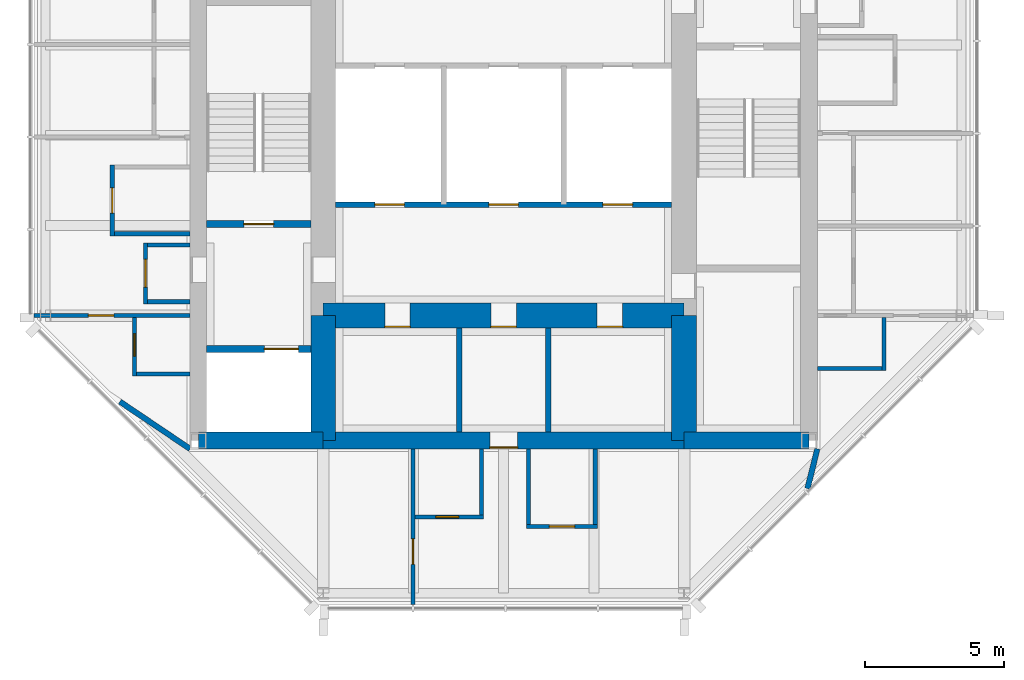
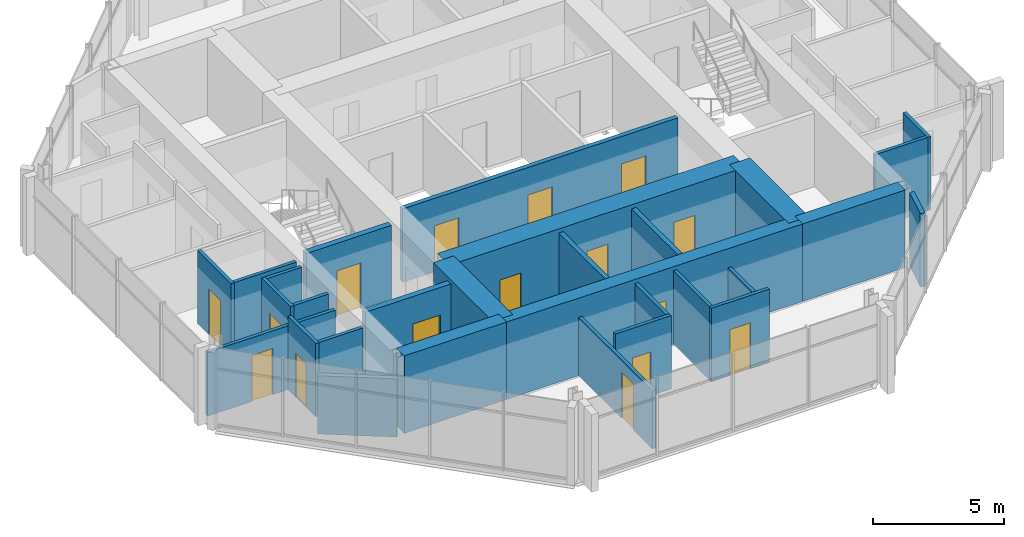
# One storey, part 5 of 9: 29 walls, 16 doors, 16 openings.
"""IFC4 building model written with IfcOpenShell, lengths in metres."""

from ifc_helpers import new_model, si_unit, direction, frame, frame_2d, origin, place, context, subcontext, project, spatial, rectangle, extrude, material, layer, layer_set, type_object, element, fill, save


model = new_model("IFC4")

# Units and contexts
model_context = context("Model", 3, precision=1e-05, world=origin(), true_north=direction((0.0, 1.0)))
body_context = subcontext(model_context, "Body", "Model", "MODEL_VIEW")
ifc_project = project(units=[si_unit("LENGTHUNIT", "METRE"), si_unit("AREAUNIT", "SQUARE_METRE"), si_unit("VOLUMEUNIT", "CUBIC_METRE"), si_unit("PLANEANGLEUNIT", "RADIAN"), si_unit("MASSUNIT", "GRAM", prefix="KILO")], contexts=[model_context])

# Site, building, storey
site_placement = place(None, origin())
site = spatial("IfcSite", under=ifc_project, at=site_placement, CompositionType="ELEMENT")
building_placement = place(site_placement, origin())
building = spatial("IfcBuilding", under=site, at=building_placement, Name="Trevanion Tower", CompositionType="ELEMENT")
storey_placement = place(building_placement, frame((0.0, 0.0, 292.0)))
storey = spatial("IfcBuildingStorey", under=building, at=storey_placement, Name="L72", CompositionType="ELEMENT", Elevation=292.0)

# Wall
ifc_material_1 = material(Name="Concrete 10,000 psi", Category="concrete")
ifc_layer_1 = layer(ifc_material_1, 0.60009765625)
ifc_layer_set_1 = layer_set([ifc_layer_1], Name="CW1 core wall 600")
wall_type_1 = type_object("IfcWallType", Name="CW1 core wall 600", PredefinedType="SHEAR", material=ifc_layer_set_1)
wall_1_placement = place(storey_placement, frame((-11.0, -11.0, 0.0), z_axis=(0.0, 0.0, 1.0), x_axis=(1.0, 0.0, 0.0)))
element("IfcWall", 1, at=wall_1_placement, inside=storey, type_object=wall_type_1, Name="CW1 CS1 L72", PredefinedType="SHEAR", context=body_context, shape_type="SweptSolid", body=[
    extrude(rectangle(XDim=4.5, YDim=0.60009765625, at=frame_2d((2.25, 0.0))), origin(), (0.0, 0.0, 1.0), 3.60009765625),
])

# Wall, opening, door
wall_2_placement = place(storey_placement, frame((-6.5, -11.0, 0.0), z_axis=(0.0, 0.0, 1.0), x_axis=(1.0, 0.0, 0.0)))
wall_2 = element("IfcWall", 2, at=wall_2_placement, inside=storey, type_object=wall_type_1, Name="CW1 CS2 L72", PredefinedType="SHEAR", context=body_context, shape_type="SweptSolid", body=[
    extrude(rectangle(XDim=13.0, YDim=0.60009765625, at=frame_2d((6.5, 0.0))), origin(), (0.0, 0.0, 1.0), 3.60009765625),
])
opening_1_placement = place(wall_2_placement, frame((6.0, 0.0, 0.0)))
opening_1 = element("IfcOpeningElement", 3, at=opening_1_placement, cuts=wall_2, Name="Opening 72-022", PredefinedType="OPENING", context=body_context, shape_type="SweptSolid", body=[
    extrude(rectangle(XDim=1.0, YDim=2.134033203125, at=frame_2d((0.5, 1.06689453125))), frame((0.0, 0.31005859375, 0.0), z_axis=(0.0, -1.0, 0.0), x_axis=(1.0, 0.0, 0.0)), (0.0, 0.0, 1.0), 0.6201171875),
])
ifc_material_2 = material(Name="Timber veneer on steel frame, fire rated", Category="steel")
door_type_1 = type_object("IfcDoorType", Name="D13 residence entrance door", OperationType="SINGLE_SWING_RIGHT", PredefinedType="DOOR", material=ifc_material_2)
door_1_placement = place(opening_1_placement, origin())
door_1 = element("IfcDoor", 4, at=door_1_placement, inside=storey, type_object=door_type_1, Name="Door 72-022", OperationType="SINGLE_SWING_RIGHT", OverallHeight=2.134033203125, OverallWidth=1.0, PredefinedType="DOOR", context=body_context, shape_type="SweptSolid", body=[
    extrude(rectangle(XDim=1.0, YDim=2.134033203125, at=frame_2d((0.5, 1.06689453125))), frame((0.0, -0.22509765625, 0.0), z_axis=(0.0, -1.0, 0.0), x_axis=(1.0, 0.0, 0.0)), (0.0, 0.0, 1.0), 0.050048828125),
])
fill(opening_1, door_1)

# Walls
wall_3_placement = place(storey_placement, frame((6.5, -11.0, 0.0), z_axis=(0.0, 0.0, 1.0), x_axis=(1.0, 0.0, 0.0)))
element("IfcWall", 5, at=wall_3_placement, inside=storey, type_object=wall_type_1, Name="CW1 CS3 L72", PredefinedType="SHEAR", context=body_context, shape_type="SweptSolid", body=[
    extrude(rectangle(XDim=4.5, YDim=0.60009765625, at=frame_2d((2.25, 0.0))), origin(), (0.0, 0.0, 1.0), 3.60009765625),
])
ifc_material_3 = material(Name="Concrete 10,000 psi", Category="concrete")
ifc_layer_2 = layer(ifc_material_3, 0.89990234375)
ifc_layer_set_2 = layer_set([ifc_layer_2], Name="CW2 core wall 900")
wall_type_2 = type_object("IfcWallType", Name="CW2 core wall 900", PredefinedType="SHEAR", material=ifc_layer_set_2)
for number, where, z_axis, x_axis, name in (
    (6, (6.5, -11.0, 0.0), (0.0, 0.0, 1.0), (0.0, 1.0, 0.0), "CW2 RE1 L72"),
    (7, (-6.5, -6.5, 0.0), (0.0, 0.0, 1.0), (0.0, -1.0, 0.0), "CW2 RW3 L72"),
):
    element("IfcWall", number, at=place(storey_placement, frame(where, z_axis=z_axis, x_axis=x_axis)), inside=storey, type_object=wall_type_2, Name=name, PredefinedType="SHEAR", context=body_context, shape_type="SweptSolid", body=[
        extrude(rectangle(XDim=4.5, YDim=0.89990234375, at=frame_2d((2.25, 0.0))), origin(), (0.0, 0.0, 1.0), 3.60009765625),
    ])

# Wall, openings, doors
wall_4_placement = place(storey_placement, frame((-6.5, -6.5, 0.0), z_axis=(0.0, 0.0, 1.0), x_axis=(1.0, 0.0, 0.0)))
wall_4 = element("IfcWall", 8, at=wall_4_placement, inside=storey, type_object=wall_type_2, Name="CW2 RS L72", PredefinedType="SHEAR", context=body_context, shape_type="SweptSolid", body=[
    extrude(rectangle(XDim=13.0, YDim=0.89990234375, at=frame_2d((6.5, 0.0))), origin(), (0.0, 0.0, 1.0), 3.60009765625),
])
opening_2_placement = place(wall_4_placement, frame((6.04248046875, 0.0, 0.0)))
opening_2 = element("IfcOpeningElement", 9, at=opening_2_placement, cuts=wall_4, Name="Opening 72-021", PredefinedType="OPENING", context=body_context, shape_type="SweptSolid", body=[
    extrude(rectangle(XDim=0.9150390625, YDim=2.134033203125, at=frame_2d((0.45751953125, 1.06689453125))), frame((0.0, 0.4599609375, 0.0), z_axis=(0.0, -1.0, 0.0), x_axis=(1.0, 0.0, 0.0)), (0.0, 0.0, 1.0), 0.919921875),
])
opening_3_placement = place(wall_4_placement, frame((2.217529296875, 0.0, 0.0)))
opening_3 = element("IfcOpeningElement", 10, at=opening_3_placement, cuts=wall_4, Name="Opening 72-023", PredefinedType="OPENING", context=body_context, shape_type="SweptSolid", body=[
    extrude(rectangle(XDim=0.9150390625, YDim=2.134033203125, at=frame_2d((0.45751953125, 1.06689453125))), frame((0.0, 0.4599609375, 0.0), z_axis=(0.0, -1.0, 0.0), x_axis=(1.0, 0.0, 0.0)), (0.0, 0.0, 1.0), 0.919921875),
])
opening_4_placement = place(wall_4_placement, frame((9.867431640625, 0.0, 0.0)))
opening_4 = element("IfcOpeningElement", 11, at=opening_4_placement, cuts=wall_4, Name="Opening 72-024", PredefinedType="OPENING", context=body_context, shape_type="SweptSolid", body=[
    extrude(rectangle(XDim=0.9150390625, YDim=2.134033203125, at=frame_2d((0.45751953125, 1.06689453125))), frame((0.0, 0.4599609375, 0.0), z_axis=(0.0, -1.0, 0.0), x_axis=(1.0, 0.0, 0.0)), (0.0, 0.0, 1.0), 0.919921875),
])
ifc_material_4 = material(Name="Hollow metal, fire rated", Category="steel")
door_type_2 = type_object("IfcDoorType", Name="D3 fire lift lobby door", OperationType="SINGLE_SWING_RIGHT", PredefinedType="DOOR", material=ifc_material_4)
door_2_placement = place(opening_2_placement, origin())
door_2 = element("IfcDoor", 12, at=door_2_placement, inside=storey, type_object=door_type_2, Name="Door 72-021", OperationType="SINGLE_SWING_RIGHT", OverallHeight=2.134033203125, OverallWidth=0.9150390625, PredefinedType="DOOR", context=body_context, shape_type="SweptSolid", body=[
    extrude(rectangle(XDim=0.9150390625, YDim=2.134033203125, at=frame_2d((0.45751953125, 1.06689453125))), frame((0.0, -0.375, 0.0), z_axis=(0.0, -1.0, 0.0), x_axis=(1.0, 0.0, 0.0)), (0.0, 0.0, 1.0), 0.050048828125),
])
fill(opening_2, door_2)
ifc_material_5 = material(Name="Hollow metal, fire rated", Category="steel")
door_type_3 = type_object("IfcDoorType", Name="D5 service room door", OperationType="SINGLE_SWING_RIGHT", PredefinedType="DOOR", material=ifc_material_5)
door_3_placement = place(opening_3_placement, origin())
door_3 = element("IfcDoor", 13, at=door_3_placement, inside=storey, type_object=door_type_3, Name="Door 72-023", OperationType="SINGLE_SWING_RIGHT", OverallHeight=2.134033203125, OverallWidth=0.9150390625, PredefinedType="DOOR", context=body_context, shape_type="SweptSolid", body=[
    extrude(rectangle(XDim=0.9150390625, YDim=2.134033203125, at=frame_2d((0.45751953125, 1.06689453125))), frame((0.0, -0.375, 0.0), z_axis=(0.0, -1.0, 0.0), x_axis=(1.0, 0.0, 0.0)), (0.0, 0.0, 1.0), 0.050048828125),
])
fill(opening_3, door_3)
door_4_placement = place(opening_4_placement, origin())
door_4 = element("IfcDoor", 14, at=door_4_placement, inside=storey, type_object=door_type_3, Name="Door 72-024", OperationType="SINGLE_SWING_RIGHT", OverallHeight=2.134033203125, OverallWidth=0.9150390625, PredefinedType="DOOR", context=body_context, shape_type="SweptSolid", body=[
    extrude(rectangle(XDim=0.9150390625, YDim=2.134033203125, at=frame_2d((0.45751953125, 1.06689453125))), frame((0.0, -0.375, 0.0), z_axis=(0.0, -1.0, 0.0), x_axis=(1.0, 0.0, 0.0)), (0.0, 0.0, 1.0), 0.050048828125),
])
fill(opening_4, door_4)

# Walls
ifc_material_6 = material(Name="Gypsum board on steel studs", Category="steel")
ifc_layer_3 = layer(ifc_material_6, 0.14990234375)
ifc_layer_set_3 = layer_set([ifc_layer_3], Name="PT1 partition 150")
wall_type_3 = type_object("IfcWallType", Name="PT1 partition 150", PredefinedType="PARTITIONING", material=ifc_layer_set_3)
wall_5_placement = place(storey_placement, frame((13.699951171875, -6.574951171875, 0.0), z_axis=(0.0, 0.0, 1.0), x_axis=(0.0, -1.0, 0.0)))
element("IfcWall", 15, at=wall_5_placement, inside=storey, type_object=wall_type_3, Name="PT1 L72 RETF", PredefinedType="PARTITIONING", context=body_context, shape_type="SweptSolid", body=[
    extrude(rectangle(XDim=1.900146484375, YDim=0.14990234375, at=frame_2d((0.9501953125, 0.0))), origin(), (0.0, 0.0, 1.0), 3.409912109375),
])
wall_6_placement = place(storey_placement, frame((11.300048828125, -8.39990234375, 0.0), z_axis=(0.0, 0.0, 1.0), x_axis=(1.0, 0.0, 0.0)))
element("IfcWall", 16, at=wall_6_placement, inside=storey, type_object=wall_type_3, Name="PT1 L72 RETA", PredefinedType="PARTITIONING", context=body_context, shape_type="SweptSolid", body=[
    extrude(rectangle(XDim=2.324951171875, YDim=0.14990234375, at=frame_2d((1.16259765625, 0.0))), origin(), (0.0, 0.0, 1.0), 3.409912109375),
])

# Wall, opening, door
wall_7_placement = place(storey_placement, frame((-11.300048828125, -6.5, 0.0), z_axis=(0.0, 0.0, 1.0), x_axis=(-1.0, 0.0, 0.0)))
wall_7 = element("IfcWall", 17, at=wall_7_placement, inside=storey, type_object=wall_type_3, Name="PT1 L72 RWC3", PredefinedType="PARTITIONING", context=body_context, shape_type="SweptSolid", body=[
    extrude(rectangle(XDim=5.614990234375, YDim=0.14990234375, at=frame_2d((2.8076171875, 0.0))), origin(), (0.0, 0.0, 1.0), 2.965576171875),
])
opening_5_placement = place(wall_7_placement, frame((2.742431640625, 0.0, 0.0)))
opening_5 = element("IfcOpeningElement", 18, at=opening_5_placement, cuts=wall_7, Name="Opening 72-044", PredefinedType="OPENING", context=body_context, shape_type="SweptSolid", body=[
    extrude(rectangle(XDim=0.9150390625, YDim=2.134033203125, at=frame_2d((0.45751953125, 1.06689453125))), frame((0.0, 0.0849609375, 0.0), z_axis=(0.0, -1.0, 0.0), x_axis=(1.0, 0.0, 0.0)), (0.0, 0.0, 1.0), 0.169921875),
])
ifc_material_7 = material(Name="Timber veneer, solid core", Category="wood")
door_type_4 = type_object("IfcDoorType", Name="D1 office and meeting room door", OperationType="SINGLE_SWING_LEFT", PredefinedType="DOOR", material=ifc_material_7)
door_5_placement = place(opening_5_placement, origin())
door_5 = element("IfcDoor", 19, at=door_5_placement, inside=storey, type_object=door_type_4, Name="Door 72-044", OperationType="SINGLE_SWING_LEFT", OverallHeight=2.134033203125, OverallWidth=0.9150390625, PredefinedType="DOOR", context=body_context, shape_type="SweptSolid", body=[
    extrude(rectangle(XDim=0.9150390625, YDim=2.134033203125, at=frame_2d((0.45751953125, 1.06689453125))), frame((0.0, 0.02490234375, 0.0), z_axis=(0.0, -1.0, 0.0), x_axis=(1.0, 0.0, 0.0)), (0.0, 0.0, 1.0), 0.050048828125),
])
fill(opening_5, door_5)

# Walls
for number, where, z_axis, x_axis, name in (
    (20, (-11.300048828125, -3.949951171875, 0.0), (0.0, 0.0, 1.0), (-1.0, 0.0, 0.0), "PT1 L72 RWEA"),
    (21, (-11.300048828125, -6.0, 0.0), (0.0, 0.0, 1.0), (-1.0, 0.0, 0.0), "PT1 L72 RWEB"),
):
    element("IfcWall", number, at=place(storey_placement, frame(where, z_axis=z_axis, x_axis=x_axis)), inside=storey, type_object=wall_type_3, Name=name, PredefinedType="PARTITIONING", context=body_context, shape_type="SweptSolid", body=[
        extrude(rectangle(XDim=1.52490234375, YDim=0.14990234375, at=frame_2d((0.762451171875, 0.0))), origin(), (0.0, 0.0, 1.0), 3.409912109375),
    ])

# Wall, opening, door
wall_8_placement = place(storey_placement, frame((-14.10009765625, -1.074951171875, 0.0), z_axis=(0.0, 0.0, 1.0), x_axis=(0.0, -1.0, 0.0)))
wall_8 = element("IfcWall", 22, at=wall_8_placement, inside=storey, type_object=wall_type_3, Name="PT1 L72 RWKF", PredefinedType="PARTITIONING", context=body_context, shape_type="SweptSolid", body=[
    extrude(rectangle(XDim=2.550048828125, YDim=0.14990234375, at=frame_2d((1.27490234375, 0.0))), origin(), (0.0, 0.0, 1.0), 3.409912109375),
])
opening_6_placement = place(wall_8_placement, frame((0.8173828125, 0.0, 0.0)))
opening_6 = element("IfcOpeningElement", 23, at=opening_6_placement, cuts=wall_8, Name="Opening 72-037", PredefinedType="OPENING", context=body_context, shape_type="SweptSolid", body=[
    extrude(rectangle(XDim=0.9150390625, YDim=2.134033203125, at=frame_2d((0.45751953125, 1.06689453125))), frame((0.0, 0.0849609375, 0.0), z_axis=(0.0, -1.0, 0.0), x_axis=(1.0, 0.0, 0.0)), (0.0, 0.0, 1.0), 0.169921875),
])
door_6_placement = place(opening_6_placement, origin())
door_6 = element("IfcDoor", 24, at=door_6_placement, inside=storey, type_object=door_type_4, Name="Door 72-037", OperationType="SINGLE_SWING_LEFT", OverallHeight=2.134033203125, OverallWidth=0.9150390625, PredefinedType="DOOR", context=body_context, shape_type="SweptSolid", body=[
    extrude(rectangle(XDim=0.9150390625, YDim=2.134033203125, at=frame_2d((0.45751953125, 1.06689453125))), frame((0.0, 0.02490234375, 0.0), z_axis=(0.0, -1.0, 0.0), x_axis=(1.0, 0.0, 0.0)), (0.0, 0.0, 1.0), 0.050048828125),
])
fill(opening_6, door_6)

# Wall
wall_9_placement = place(storey_placement, frame((-11.300048828125, -3.550048828125, 0.0), z_axis=(0.0, 0.0, 1.0), x_axis=(-1.0, 0.0, 0.0)))
element("IfcWall", 25, at=wall_9_placement, inside=storey, type_object=wall_type_3, Name="PT1 L72 RWKB", PredefinedType="PARTITIONING", context=body_context, shape_type="SweptSolid", body=[
    extrude(rectangle(XDim=2.724853515625, YDim=0.14990234375, at=frame_2d((1.3623046875, 0.0))), origin(), (0.0, 0.0, 1.0), 3.409912109375),
])

# Wall, opening, door
wall_10_placement = place(storey_placement, frame((-13.300048828125, -6.574951171875, 0.0), z_axis=(0.0, 0.0, 1.0), x_axis=(0.0, -1.0, 0.0)))
wall_10 = element("IfcWall", 26, at=wall_10_placement, inside=storey, type_object=wall_type_3, Name="PT1 L72 RWWF", PredefinedType="PARTITIONING", context=body_context, shape_type="SweptSolid", body=[
    extrude(rectangle(XDim=2.10009765625, YDim=0.14990234375, at=frame_2d((1.050048828125, 0.0))), origin(), (0.0, 0.0, 1.0), 3.409912109375),
])
opening_7_placement = place(wall_10_placement, frame((0.568603515625, 0.0, 0.0)))
opening_7 = element("IfcOpeningElement", 27, at=opening_7_placement, cuts=wall_10, Name="Opening 72-038", PredefinedType="OPENING", context=body_context, shape_type="SweptSolid", body=[
    extrude(rectangle(XDim=0.81298828125, YDim=2.031982421875, at=frame_2d((0.406494140625, 1.01611328125))), frame((0.0, 0.0849609375, 0.0), z_axis=(0.0, -1.0, 0.0), x_axis=(1.0, 0.0, 0.0)), (0.0, 0.0, 1.0), 0.169921875),
])
ifc_material_8 = material(Name="Timber veneer", Category="wood")
door_type_5 = type_object("IfcDoorType", Name="D14 residence bathroom door", OperationType="SINGLE_SWING_LEFT", PredefinedType="DOOR", material=ifc_material_8)
door_7_placement = place(opening_7_placement, origin())
door_7 = element("IfcDoor", 28, at=door_7_placement, inside=storey, type_object=door_type_5, Name="Door 72-038", OperationType="SINGLE_SWING_LEFT", OverallHeight=2.031982421875, OverallWidth=0.81298828125, PredefinedType="DOOR", context=body_context, shape_type="SweptSolid", body=[
    extrude(rectangle(XDim=0.81298828125, YDim=2.031982421875, at=frame_2d((0.406494140625, 1.01611328125))), frame((0.0, 0.02490234375, 0.0), z_axis=(0.0, -1.0, 0.0), x_axis=(1.0, 0.0, 0.0)), (0.0, 0.0, 1.0), 0.050048828125),
])
fill(opening_7, door_7)

# Wall
wall_11_placement = place(storey_placement, frame((-11.300048828125, -8.60009765625, 0.0), z_axis=(0.0, 0.0, 1.0), x_axis=(-1.0, 0.0, 0.0)))
element("IfcWall", 29, at=wall_11_placement, inside=storey, type_object=wall_type_3, Name="PT1 L72 RWWB", PredefinedType="PARTITIONING", context=body_context, shape_type="SweptSolid", body=[
    extrude(rectangle(XDim=1.925048828125, YDim=0.14990234375, at=frame_2d((0.96240234375, 0.0))), origin(), (0.0, 0.0, 1.0), 3.409912109375),
])

# Wall, opening, door
wall_12_placement = place(storey_placement, frame((-3.26611328125, -11.300048828125, 0.0), z_axis=(0.0, 0.0, 1.0), x_axis=(0.0, -1.0, 0.0)))
wall_12 = element("IfcWall", 30, at=wall_12_placement, inside=storey, type_object=wall_type_3, Name="PT1 L72 RSC0", PredefinedType="PARTITIONING", context=body_context, shape_type="SweptSolid", body=[
    extrude(rectangle(XDim=5.614990234375, YDim=0.14990234375, at=frame_2d((2.8076171875, 0.0))), origin(), (0.0, 0.0, 1.0), 2.708984375),
])
opening_8_placement = place(wall_12_placement, frame((3.242431640625, 0.0, 0.0)))
opening_8 = element("IfcOpeningElement", 31, at=opening_8_placement, cuts=wall_12, Name="Opening 72-047", PredefinedType="OPENING", context=body_context, shape_type="SweptSolid", body=[
    extrude(rectangle(XDim=0.9150390625, YDim=2.134033203125, at=frame_2d((0.45751953125, 1.06689453125))), frame((0.0, 0.0849609375, 0.0), z_axis=(0.0, -1.0, 0.0), x_axis=(1.0, 0.0, 0.0)), (0.0, 0.0, 1.0), 0.169921875),
])
door_8_placement = place(opening_8_placement, origin())
door_8 = element("IfcDoor", 32, at=door_8_placement, inside=storey, type_object=door_type_4, Name="Door 72-047", OperationType="SINGLE_SWING_LEFT", OverallHeight=2.134033203125, OverallWidth=0.9150390625, PredefinedType="DOOR", context=body_context, shape_type="SweptSolid", body=[
    extrude(rectangle(XDim=0.9150390625, YDim=2.134033203125, at=frame_2d((0.45751953125, 1.06689453125))), frame((0.0, 0.02490234375, 0.0), z_axis=(0.0, -1.0, 0.0), x_axis=(1.0, 0.0, 0.0)), (0.0, 0.0, 1.0), 0.050048828125),
])
fill(opening_8, door_8)

wall_13_placement = place(storey_placement, frame((0.824951171875, -14.10009765625, 0.0), z_axis=(0.0, 0.0, 1.0), x_axis=(1.0, 0.0, 0.0)))
wall_13 = element("IfcWall", 33, at=wall_13_placement, inside=storey, type_object=wall_type_3, Name="PT1 L72 RSKF", PredefinedType="PARTITIONING", context=body_context, shape_type="SweptSolid", body=[
    extrude(rectangle(XDim=2.550048828125, YDim=0.14990234375, at=frame_2d((1.27490234375, 0.0))), origin(), (0.0, 0.0, 1.0), 3.409912109375),
])
opening_9_placement = place(wall_13_placement, frame((0.8173828125, 0.0, 0.0)))
opening_9 = element("IfcOpeningElement", 34, at=opening_9_placement, cuts=wall_13, Name="Opening 72-045", PredefinedType="OPENING", context=body_context, shape_type="SweptSolid", body=[
    extrude(rectangle(XDim=0.9150390625, YDim=2.134033203125, at=frame_2d((0.45751953125, 1.06689453125))), frame((0.0, 0.0849609375, 0.0), z_axis=(0.0, -1.0, 0.0), x_axis=(1.0, 0.0, 0.0)), (0.0, 0.0, 1.0), 0.169921875),
])
door_9_placement = place(opening_9_placement, origin())
door_9 = element("IfcDoor", 35, at=door_9_placement, inside=storey, type_object=door_type_4, Name="Door 72-045", OperationType="SINGLE_SWING_LEFT", OverallHeight=2.134033203125, OverallWidth=0.9150390625, PredefinedType="DOOR", context=body_context, shape_type="SweptSolid", body=[
    extrude(rectangle(XDim=0.9150390625, YDim=2.134033203125, at=frame_2d((0.45751953125, 1.06689453125))), frame((0.0, 0.02490234375, 0.0), z_axis=(0.0, -1.0, 0.0), x_axis=(1.0, 0.0, 0.0)), (0.0, 0.0, 1.0), 0.050048828125),
])
fill(opening_9, door_9)

# Walls
wall_14_placement = place(storey_placement, frame((0.89990234375, -11.300048828125, 0.0), z_axis=(0.0, 0.0, 1.0), x_axis=(0.0, -1.0, 0.0)))
element("IfcWall", 36, at=wall_14_placement, inside=storey, type_object=wall_type_3, Name="PT1 L72 RSKA", PredefinedType="PARTITIONING", context=body_context, shape_type="SweptSolid", body=[
    extrude(rectangle(XDim=2.724853515625, YDim=0.14990234375, at=frame_2d((1.3623046875, 0.0))), origin(), (0.0, 0.0, 1.0), 3.409912109375),
])
wall_15_placement = place(storey_placement, frame((3.300048828125, -11.300048828125, 0.0), z_axis=(0.0, 0.0, 1.0), x_axis=(0.0, -1.0, 0.0)))
element("IfcWall", 37, at=wall_15_placement, inside=storey, type_object=wall_type_3, Name="PT1 L72 RSKB", PredefinedType="PARTITIONING", context=body_context, shape_type="SweptSolid", body=[
    extrude(rectangle(XDim=2.724853515625, YDim=0.14990234375, at=frame_2d((1.3623046875, 0.0))), origin(), (0.0, 0.0, 1.0), 2.708984375),
])

# Wall, opening, door
wall_16_placement = place(storey_placement, frame((-3.19091796875, -13.75, 0.0), z_axis=(0.0, 0.0, 1.0), x_axis=(1.0, 0.0, 0.0)))
wall_16 = element("IfcWall", 38, at=wall_16_placement, inside=storey, type_object=wall_type_3, Name="PT1 L72 RSTF", PredefinedType="PARTITIONING", context=body_context, shape_type="SweptSolid", body=[
    extrude(rectangle(XDim=2.4658203125, YDim=0.14990234375, at=frame_2d((1.23291015625, 0.0))), origin(), (0.0, 0.0, 1.0), 3.409912109375),
])
opening_10_placement = place(wall_16_placement, frame((0.75146484375, 0.0, 0.0)))
opening_10 = element("IfcOpeningElement", 39, at=opening_10_placement, cuts=wall_16, Name="Opening 72-046", PredefinedType="OPENING", context=body_context, shape_type="SweptSolid", body=[
    extrude(rectangle(XDim=0.81298828125, YDim=2.031982421875, at=frame_2d((0.406494140625, 1.01611328125))), frame((0.0, 0.0849609375, 0.0), z_axis=(0.0, -1.0, 0.0), x_axis=(1.0, 0.0, 0.0)), (0.0, 0.0, 1.0), 0.169921875),
])
door_10_placement = place(opening_10_placement, origin())
door_10 = element("IfcDoor", 40, at=door_10_placement, inside=storey, type_object=door_type_5, Name="Door 72-046", OperationType="SINGLE_SWING_LEFT", OverallHeight=2.031982421875, OverallWidth=0.81298828125, PredefinedType="DOOR", context=body_context, shape_type="SweptSolid", body=[
    extrude(rectangle(XDim=0.81298828125, YDim=2.031982421875, at=frame_2d((0.406494140625, 1.01611328125))), frame((0.0, 0.02490234375, 0.0), z_axis=(0.0, -1.0, 0.0), x_axis=(1.0, 0.0, 0.0)), (0.0, 0.0, 1.0), 0.050048828125),
])
fill(opening_10, door_10)

# Wall
wall_17_placement = place(storey_placement, frame((-0.800048828125, -11.300048828125, 0.0), z_axis=(0.0, 0.0, 1.0), x_axis=(0.0, -1.0, 0.0)))
element("IfcWall", 41, at=wall_17_placement, inside=storey, type_object=wall_type_3, Name="PT1 L72 RSTB", PredefinedType="PARTITIONING", context=body_context, shape_type="SweptSolid", body=[
    extrude(rectangle(XDim=2.375, YDim=0.14990234375, at=frame_2d((1.1875, 0.0))), origin(), (0.0, 0.0, 1.0), 3.409912109375),
])

# Wall, opening, door
ifc_material_9 = material(Name="Gypsum board on steel studs", Category="steel")
ifc_layer_4 = layer(ifc_material_9, 0.14990234375)
ifc_layer_set_4 = layer_set([ifc_layer_4], Name="PT1 partition 150 1 HR")
wall_type_4 = type_object("IfcWallType", Name="PT1 partition 150 1 HR", PredefinedType="PARTITIONING", material=ifc_layer_set_4)
wall_18_placement = place(storey_placement, frame((-12.89990234375, -3.875, 0.0), z_axis=(0.0, 0.0, 1.0), x_axis=(0.0, -1.0, 0.0)))
wall_18 = element("IfcWall", 42, at=wall_18_placement, inside=storey, type_object=wall_type_4, Name="PT1 L72 RWEF", PredefinedType="PARTITIONING", context=body_context, shape_type="SweptSolid", body=[
    extrude(rectangle(XDim=2.199951171875, YDim=0.14990234375, at=frame_2d((1.10009765625, 0.0))), origin(), (0.0, 0.0, 1.0), 3.409912109375),
])
opening_11_placement = place(wall_18_placement, frame((0.60009765625, 0.0, 0.0)))
opening_11 = element("IfcOpeningElement", 43, at=opening_11_placement, cuts=wall_18, Name="Opening 72-036", PredefinedType="OPENING", context=body_context, shape_type="SweptSolid", body=[
    extrude(rectangle(XDim=1.0, YDim=2.134033203125, at=frame_2d((0.5, 1.06689453125))), frame((0.0, 0.0849609375, 0.0), z_axis=(0.0, -1.0, 0.0), x_axis=(1.0, 0.0, 0.0)), (0.0, 0.0, 1.0), 0.169921875),
])
door_11_placement = place(opening_11_placement, origin())
door_11 = element("IfcDoor", 44, at=door_11_placement, inside=storey, type_object=door_type_1, Name="Door 72-036", OperationType="SINGLE_SWING_RIGHT", OverallHeight=2.134033203125, OverallWidth=1.0, PredefinedType="DOOR", context=body_context, shape_type="SweptSolid", body=[
    extrude(rectangle(XDim=1.0, YDim=2.134033203125, at=frame_2d((0.5, 1.06689453125))), frame((0.0, 0.02490234375, 0.0), z_axis=(0.0, -1.0, 0.0), x_axis=(1.0, 0.0, 0.0)), (0.0, 0.0, 1.0), 0.050048828125),
])
fill(opening_11, door_11)

# Wall, openings, doors
ifc_material_10 = material(Name="Concrete masonry, grouted", Category="masonry")
ifc_layer_5 = layer(ifc_material_10, 0.199951171875)
ifc_layer_set_5 = layer_set([ifc_layer_5], Name="PT2 partition 200 1 HR")
wall_type_5 = type_object("IfcWallType", Name="PT2 partition 200 1 HR", PredefinedType="PARTITIONING", material=ifc_layer_set_5)
wall_19_placement = place(storey_placement, frame((6.050048828125, -2.5, 0.0), z_axis=(0.0, 0.0, 1.0), x_axis=(-1.0, 0.0, 0.0)))
wall_19 = element("IfcWall", 45, at=wall_19_placement, inside=storey, type_object=wall_type_5, Name="PT2 L72 CP2", PredefinedType="PARTITIONING", context=body_context, shape_type="SweptSolid", body=[
    extrude(rectangle(XDim=12.10009765625, YDim=0.199951171875, at=frame_2d((6.050048828125, 0.0))), origin(), (0.0, 0.0, 1.0), 3.409912109375),
])
opening_12_placement = place(wall_19_placement, frame((9.624755859375, 0.0, 0.0)))
opening_12 = element("IfcOpeningElement", 46, at=opening_12_placement, cuts=wall_19, Name="Opening 72-012", PredefinedType="OPENING", context=body_context, shape_type="SweptSolid", body=[
    extrude(rectangle(XDim=1.06689453125, YDim=2.134033203125, at=frame_2d((0.533447265625, 1.06689453125))), frame((0.0, 0.10986328125, 0.0), z_axis=(0.0, -1.0, 0.0), x_axis=(1.0, 0.0, 0.0)), (0.0, 0.0, 1.0), 0.219970703125),
])
opening_13_placement = place(wall_19_placement, frame((5.5166015625, 0.0, 0.0)))
opening_13 = element("IfcOpeningElement", 47, at=opening_13_placement, cuts=wall_19, Name="Opening 72-014", PredefinedType="OPENING", context=body_context, shape_type="SweptSolid", body=[
    extrude(rectangle(XDim=1.06689453125, YDim=2.134033203125, at=frame_2d((0.533447265625, 1.06689453125))), frame((0.0, 0.10986328125, 0.0), z_axis=(0.0, -1.0, 0.0), x_axis=(1.0, 0.0, 0.0)), (0.0, 0.0, 1.0), 0.219970703125),
])
opening_14_placement = place(wall_19_placement, frame((1.408203125, 0.0, 0.0)))
opening_14 = element("IfcOpeningElement", 48, at=opening_14_placement, cuts=wall_19, Name="Opening 72-016", PredefinedType="OPENING", context=body_context, shape_type="SweptSolid", body=[
    extrude(rectangle(XDim=1.06689453125, YDim=2.134033203125, at=frame_2d((0.533447265625, 1.06689453125))), frame((0.0, 0.10986328125, 0.0), z_axis=(0.0, -1.0, 0.0), x_axis=(1.0, 0.0, 0.0)), (0.0, 0.0, 1.0), 0.219970703125),
])
ifc_material_11 = material(Name="Stainless steel, fire rated", Category="steel")
door_type_6 = type_object("IfcDoorType", Name="LD1 lift landing door", OperationType="SLIDING_TO_LEFT", PredefinedType="DOOR", material=ifc_material_11)
door_12_placement = place(opening_12_placement, origin())
door_12 = element("IfcDoor", 49, at=door_12_placement, inside=storey, type_object=door_type_6, Name="Door 72-012", OperationType="SLIDING_TO_LEFT", OverallHeight=2.134033203125, OverallWidth=1.06689453125, PredefinedType="DOOR", context=body_context, shape_type="SweptSolid", body=[
    extrude(rectangle(XDim=1.06689453125, YDim=2.134033203125, at=frame_2d((0.533447265625, 1.06689453125))), frame((0.0, 0.02490234375, 0.0), z_axis=(0.0, -1.0, 0.0), x_axis=(1.0, 0.0, 0.0)), (0.0, 0.0, 1.0), 0.050048828125),
])
fill(opening_12, door_12)
door_13_placement = place(opening_13_placement, origin())
door_13 = element("IfcDoor", 50, at=door_13_placement, inside=storey, type_object=door_type_6, Name="Door 72-014", OperationType="SLIDING_TO_LEFT", OverallHeight=2.134033203125, OverallWidth=1.06689453125, PredefinedType="DOOR", context=body_context, shape_type="SweptSolid", body=[
    extrude(rectangle(XDim=1.06689453125, YDim=2.134033203125, at=frame_2d((0.533447265625, 1.06689453125))), frame((0.0, 0.02490234375, 0.0), z_axis=(0.0, -1.0, 0.0), x_axis=(1.0, 0.0, 0.0)), (0.0, 0.0, 1.0), 0.050048828125),
])
fill(opening_13, door_13)
door_14_placement = place(opening_14_placement, origin())
door_14 = element("IfcDoor", 51, at=door_14_placement, inside=storey, type_object=door_type_6, Name="Door 72-016", OperationType="SLIDING_TO_LEFT", OverallHeight=2.134033203125, OverallWidth=1.06689453125, PredefinedType="DOOR", context=body_context, shape_type="SweptSolid", body=[
    extrude(rectangle(XDim=1.06689453125, YDim=2.134033203125, at=frame_2d((0.533447265625, 1.06689453125))), frame((0.0, 0.02490234375, 0.0), z_axis=(0.0, -1.0, 0.0), x_axis=(1.0, 0.0, 0.0)), (0.0, 0.0, 1.0), 0.050048828125),
])
fill(opening_14, door_14)

# Walls
for number, where, z_axis, x_axis, name in (
    (52, (-1.60009765625, -6.949951171875, 0.0), (0.0, 0.0, 1.0), (0.0, -1.0, 0.0), "PT2 L72 CSP1"),
    (53, (1.60009765625, -6.949951171875, 0.0), (0.0, 0.0, 1.0), (0.0, -1.0, 0.0), "PT2 L72 CSP2"),
):
    element("IfcWall", number, at=place(storey_placement, frame(where, z_axis=z_axis, x_axis=x_axis)), inside=storey, type_object=wall_type_5, Name=name, PredefinedType="PARTITIONING", context=body_context, shape_type="SweptSolid", body=[
        extrude(rectangle(XDim=3.75, YDim=0.199951171875, at=frame_2d((1.875, 0.0))), origin(), (0.0, 0.0, 1.0), 3.409912109375),
    ])
wall_20_placement = place(storey_placement, frame((-11.300048828125, -11.300048828125, 0.0), z_axis=(0.0, 0.0, 1.0), x_axis=(-0.829279340477, 0.558834300538, 0.0)))
element("IfcWall", 54, at=wall_20_placement, inside=storey, type_object=wall_type_5, Name="PT2 L72 UB2", PredefinedType="PARTITIONING", context=body_context, shape_type="SweptSolid", body=[
    extrude(rectangle(XDim=3.047607421875, YDim=0.199951171875, at=frame_2d((1.52392578125, 0.0))), origin(), (0.0, 0.0, 1.0), 2.703857421875),
])
wall_21_placement = place(storey_placement, frame((11.300048828125, -11.300048828125, 0.0), z_axis=(0.0, 0.0, 1.0), x_axis=(-0.24050983258, -0.970646702169, 0.0)))
element("IfcWall", 55, at=wall_21_placement, inside=storey, type_object=wall_type_5, Name="PT2 L72 UB3", PredefinedType="PARTITIONING", context=body_context, shape_type="SweptSolid", body=[
    extrude(rectangle(XDim=1.474853515625, YDim=0.199951171875, at=frame_2d((0.7373046875, 0.0))), origin(), (0.0, 0.0, 1.0), 3.409912109375),
])

# Wall, opening, door
ifc_material_12 = material(Name="Concrete masonry, grouted, two-hour", Category="masonry")
ifc_layer_6 = layer(ifc_material_12, 0.25)
ifc_layer_set_6 = layer_set([ifc_layer_6], Name="PT3 partition 250 2 HR")
wall_type_6 = type_object("IfcWallType", Name="PT3 partition 250 2 HR", PredefinedType="PARTITIONING", material=ifc_layer_set_6)
wall_22_placement = place(storey_placement, frame((-6.949951171875, -7.699951171875, 0.0), z_axis=(0.0, 0.0, 1.0), x_axis=(-1.0, 0.0, 0.0)))
wall_22 = element("IfcWall", 56, at=wall_22_placement, inside=storey, type_object=wall_type_6, Name="PT3 L72 WP3", PredefinedType="PARTITIONING", context=body_context, shape_type="SweptSolid", body=[
    extrude(rectangle(XDim=3.75, YDim=0.25, at=frame_2d((1.875, 0.0))), origin(), (0.0, 0.0, 1.0), 3.409912109375),
])
opening_15_placement = place(wall_22_placement, frame((0.449951171875, 0.0, 0.0)))
opening_15 = element("IfcOpeningElement", 57, at=opening_15_placement, cuts=wall_22, Name="Opening 72-008", PredefinedType="OPENING", context=body_context, shape_type="SweptSolid", body=[
    extrude(rectangle(XDim=1.218994140625, YDim=2.134033203125, at=frame_2d((0.609375, 1.06689453125))), frame((0.0, 0.135009765625, 0.0), z_axis=(0.0, -1.0, 0.0), x_axis=(1.0, 0.0, 0.0)), (0.0, 0.0, 1.0), 0.27001953125),
])
ifc_material_13 = material(Name="Stainless steel, fire rated", Category="steel")
door_type_7 = type_object("IfcDoorType", Name="LD2 fire service lift landing door", OperationType="SLIDING_TO_LEFT", PredefinedType="DOOR", material=ifc_material_13)
door_15_placement = place(opening_15_placement, origin())
door_15 = element("IfcDoor", 58, at=door_15_placement, inside=storey, type_object=door_type_7, Name="Door 72-008", OperationType="SLIDING_TO_LEFT", OverallHeight=2.134033203125, OverallWidth=1.218994140625, PredefinedType="DOOR", context=body_context, shape_type="SweptSolid", body=[
    extrude(rectangle(XDim=1.218994140625, YDim=2.134033203125, at=frame_2d((0.609375, 1.06689453125))), frame((0.0, 0.02490234375, 0.0), z_axis=(0.0, -1.0, 0.0), x_axis=(1.0, 0.0, 0.0)), (0.0, 0.0, 1.0), 0.050048828125),
])
fill(opening_15, door_15)

ifc_material_14 = material(Name="Reinforced masonry, fully grouted", Category="masonry")
ifc_layer_7 = layer(ifc_material_14, 0.25)
ifc_layer_set_7 = layer_set([ifc_layer_7], Name="SW1 stair shaft wall 250")
wall_type_7 = type_object("IfcWallType", Name="SW1 stair shaft wall 250", PredefinedType="SOLIDWALL", material=ifc_layer_set_7)
wall_23_placement = place(storey_placement, frame((-6.949951171875, -3.199951171875, 0.0), z_axis=(0.0, 0.0, 1.0), x_axis=(-1.0, 0.0, 0.0)))
wall_23 = element("IfcWall", 59, at=wall_23_placement, inside=storey, type_object=wall_type_7, Name="SW1 L72 WP2", PredefinedType="SOLIDWALL", context=body_context, shape_type="SweptSolid", body=[
    extrude(rectangle(XDim=3.75, YDim=0.25, at=frame_2d((1.875, 0.0))), origin(), (0.0, 0.0, 1.0), 3.409912109375),
])
opening_16_placement = place(wall_23_placement, frame((1.341552734375, 0.0, 0.0)))
opening_16 = element("IfcOpeningElement", 60, at=opening_16_placement, cuts=wall_23, Name="Opening 72-006", PredefinedType="OPENING", context=body_context, shape_type="SweptSolid", body=[
    extrude(rectangle(XDim=1.06689453125, YDim=2.134033203125, at=frame_2d((0.533447265625, 1.06689453125))), frame((0.0, 0.135009765625, 0.0), z_axis=(0.0, -1.0, 0.0), x_axis=(1.0, 0.0, 0.0)), (0.0, 0.0, 1.0), 0.27001953125),
])
ifc_material_15 = material(Name="Hollow metal, fire rated", Category="steel")
door_type_8 = type_object("IfcDoorType", Name="D2 exit stair door", OperationType="SINGLE_SWING_LEFT", PredefinedType="DOOR", material=ifc_material_15)
door_16_placement = place(opening_16_placement, origin())
door_16 = element("IfcDoor", 61, at=door_16_placement, inside=storey, type_object=door_type_8, Name="Door 72-006", OperationType="SINGLE_SWING_LEFT", OverallHeight=2.134033203125, OverallWidth=1.06689453125, PredefinedType="DOOR", context=body_context, shape_type="SweptSolid", body=[
    extrude(rectangle(XDim=1.06689453125, YDim=2.134033203125, at=frame_2d((0.533447265625, 1.06689453125))), frame((0.0, 0.02490234375, 0.0), z_axis=(0.0, -1.0, 0.0), x_axis=(1.0, 0.0, 0.0)), (0.0, 0.0, 1.0), 0.050048828125),
])
fill(opening_16, door_16)

save(model, "model.ifc")
